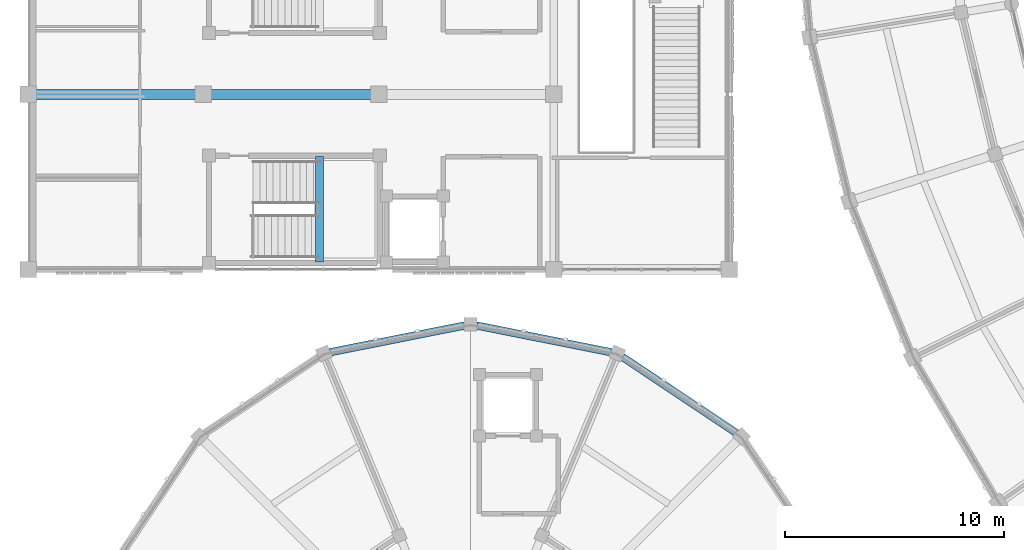
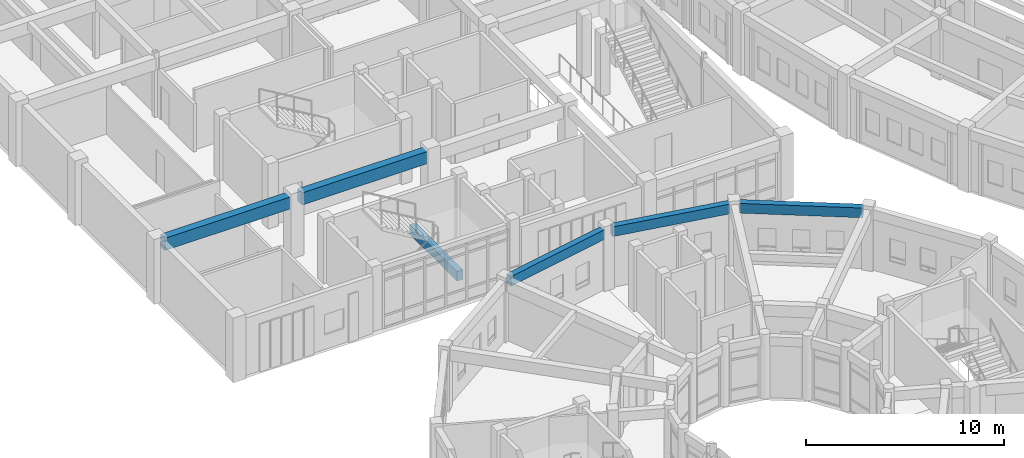
# One storey, part 21 of 159: 6 beams.
"""IFC4 building model written with IfcOpenShell, lengths in metres."""

from ifc_helpers import new_model, si_unit, direction, frame, origin, origin_2d, place, context, subcontext, project, spatial, rectangle, extrude, material, material_profile, profile_set, type_object, element, save


model = new_model("IFC4")

# Units and contexts
model_context = context("Model", 3, precision=1e-05, world=origin(), true_north=direction((0.0, 1.0)))
body_context = subcontext(model_context, "Body", "Model", "MODEL_VIEW")
ifc_project = project(units=[si_unit("LENGTHUNIT", "METRE"), si_unit("AREAUNIT", "SQUARE_METRE"), si_unit("VOLUMEUNIT", "CUBIC_METRE"), si_unit("PLANEANGLEUNIT", "RADIAN"), si_unit("MASSUNIT", "GRAM", prefix="KILO")], contexts=[model_context])

# Site, building, storey
site_placement = place(None, origin())
site = spatial("IfcSite", under=ifc_project, at=site_placement, CompositionType="ELEMENT")
building_placement = place(site_placement, origin())
building = spatial("IfcBuilding", under=site, at=building_placement, Name="Celadon Cloister-Ring School", CompositionType="ELEMENT")
storey_placement = place(building_placement, frame((0.0, 0.0, 4.5)))
storey = spatial("IfcBuildingStorey", under=building, at=storey_placement, Name="L01", CompositionType="ELEMENT", Elevation=4.5)

# Beams
ifc_material_1 = material(Name="Concrete C35/45", Category="concrete")
ifc_material_profile_1 = material_profile(ifc_material_1, rectangle(XDim=0.35009765625, YDim=0.60009765625, at=origin_2d()), Name="RC350X600")
ifc_profile_set_1 = profile_set([ifc_material_profile_1], Name="Concrete C35/45")
beam_type_1 = type_object("IfcBeamType", Name="BT-02", PredefinedType="BEAM", material=ifc_profile_set_1)
beam_1_placement = place(storey_placement, frame((13.300048828125, 40.35009765625, 1.419921875), z_axis=(0.0, 1.0, 0.0), x_axis=(-1.0, 0.0, 0.0)))
element("IfcBeam", 1, at=beam_1_placement, inside=storey, type_object=beam_type_1, Name="Stair Landing Beam 1722", PredefinedType="BEAM", context=body_context, shape_type="SweptSolid", body=[
    extrude(rectangle(XDim=0.35009765625, YDim=0.60009765625, at=origin_2d()), origin(), (0.0, 0.0, 1.0), 4.7998046875),
])
ifc_material_2 = material(Name="Concrete C35/45", Category="concrete")
ifc_material_profile_2 = material_profile(ifc_material_2, rectangle(XDim=0.449951171875, YDim=0.75, at=origin_2d()), Name="RC450X750")
ifc_profile_set_2 = profile_set([ifc_material_profile_2], Name="Concrete C35/45")
beam_type_2 = type_object("IfcBeamType", Name="GT-02", PredefinedType="USERDEFINED", material=ifc_profile_set_2)
for number, where, z_axis, x_axis, name in (
    (2, (0.35009765625, 48.0, 3.364990234375), (1.0, 0.0, 0.0), (0.0, 1.0, 0.0), "Beam 1519"),
    (3, (8.35009765625, 48.0, 3.364990234375), (1.0, 0.0, 0.0), (0.0, 1.0, 0.0), "Beam 1520"),
):
    element("IfcBeam", number, at=place(storey_placement, frame(where, z_axis=z_axis, x_axis=x_axis)), inside=storey, type_object=beam_type_2, Name=name, ObjectType="GIRDER", PredefinedType="USERDEFINED", context=body_context, shape_type="SweptSolid", body=[
        extrude(rectangle(XDim=0.449951171875, YDim=0.75, at=origin_2d()), origin(), (0.0, 0.0, 1.0), 7.2998046875),
    ])
ifc_material_3 = material(Name="Concrete C35/45", Category="concrete")
ifc_material_profile_3 = material_profile(ifc_material_3, rectangle(XDim=0.35009765625, YDim=0.60009765625, at=origin_2d()), Name="RC350X600")
ifc_profile_set_3 = profile_set([ifc_material_profile_3], Name="Concrete C35/45")
beam_type_3 = type_object("IfcBeamType", Name="SP-01", PredefinedType="SPANDREL", material=ifc_profile_set_3)
beam_2_placement = place(storey_placement, frame((32.344970703125, 32.527099609375, 3.47998046875), z_axis=(-0.831427473898, 0.555633292422, 0.0), x_axis=(-0.555633292422, -0.831427473898, 0.0)))
element("IfcBeam", 4, at=beam_2_placement, inside=storey, type_object=beam_type_3, Name="Beam 0953", PredefinedType="SPANDREL", context=body_context, shape_type="SweptSolid", body=[
    extrude(rectangle(XDim=0.35009765625, YDim=0.60009765625, at=origin_2d()), origin(), (0.0, 0.0, 1.0), 6.277099609375),
])
for number, where, z_axis, x_axis, name in (
    (5, (26.626953125, 36.221923828125, 3.47998046875), (-0.980802920261, 0.195001619501, 0.0), (-0.195001619501, -0.980802920261, 0.0), "Beam 0957"),
    (6, (19.929931640625, 37.446044921875, 3.47998046875), (-0.980802920261, -0.195001619501, 0.0), (0.195001619501, -0.980802920261, 0.0), "Beam 0959"),
):
    element("IfcBeam", number, at=place(storey_placement, frame(where, z_axis=z_axis, x_axis=x_axis)), inside=storey, type_object=beam_type_3, Name=name, PredefinedType="SPANDREL", context=body_context, shape_type="SweptSolid", body=[
        extrude(rectangle(XDim=0.35009765625, YDim=0.60009765625, at=origin_2d()), origin(), (0.0, 0.0, 1.0), 6.277587890625),
    ])

save(model, "model.ifc")
